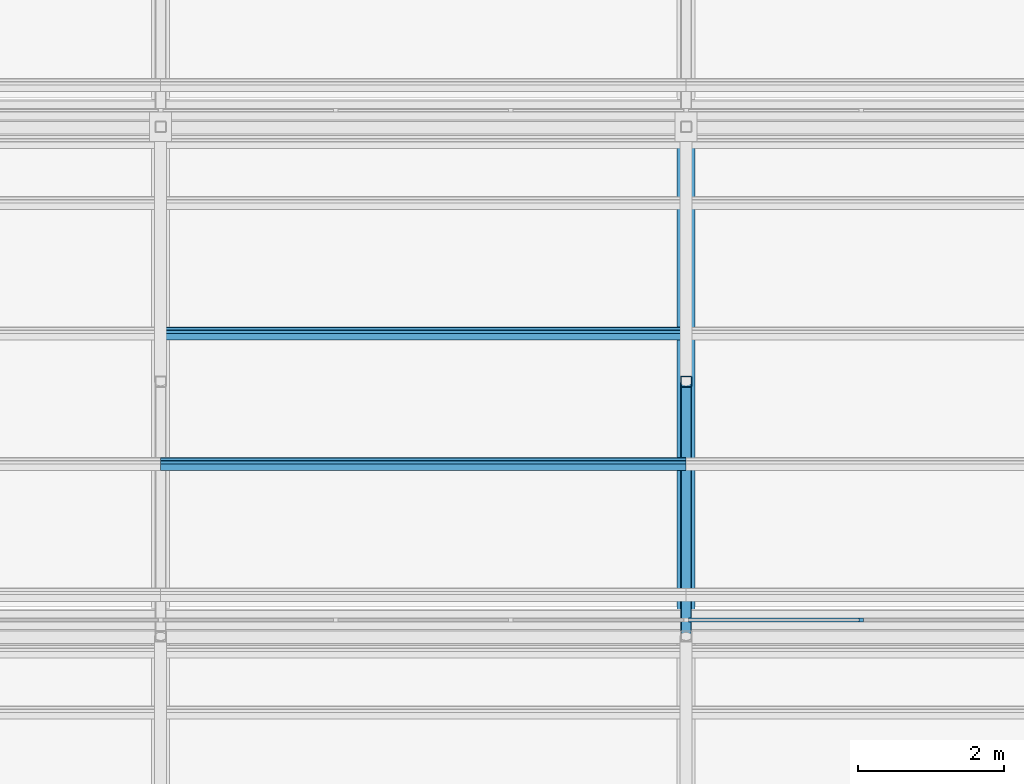
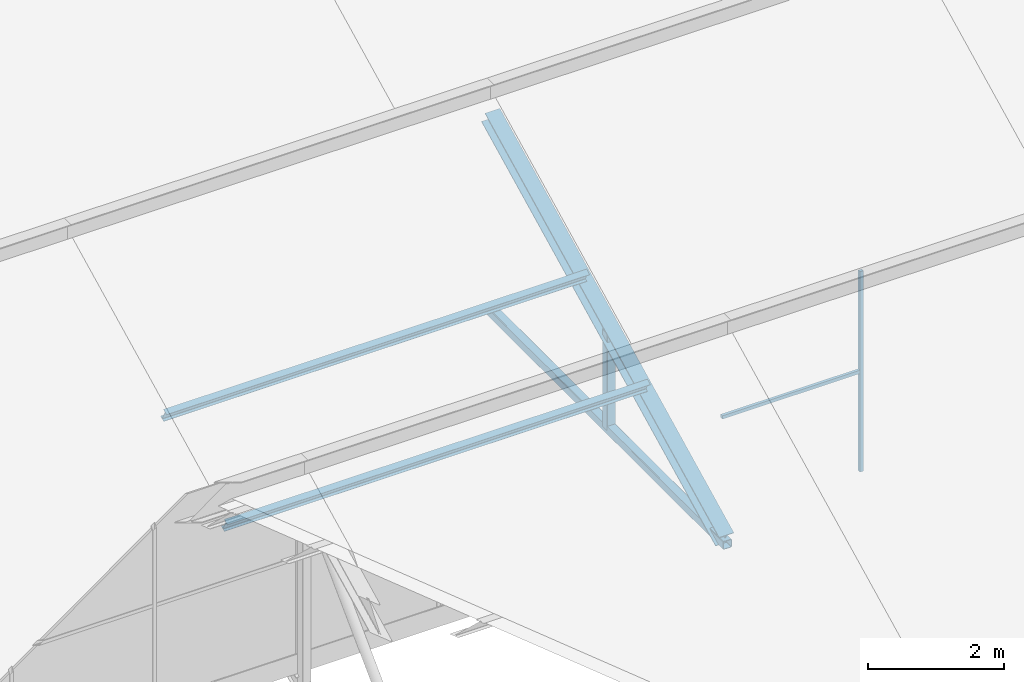
# One storey, part 31 of 83: 7 members, 1 element without a shape of its own.
"""IFC4 building model written with IfcOpenShell, lengths in metres."""

from ifc_helpers import new_model, si_unit, direction, frame, origin, origin_2d, place, context, subcontext, project, spatial, rectangle, hollow_rectangle, i_section, extrude, material, material_profile, profile_set, type_object, element, aggregate, save


model = new_model("IFC4")

# Units and contexts
model_context = context("Model", 3, precision=1e-05, world=origin(), true_north=direction((0.0, 1.0)))
body_context = subcontext(model_context, "Body", "Model", "MODEL_VIEW")
ifc_project = project(units=[si_unit("LENGTHUNIT", "METRE"), si_unit("AREAUNIT", "SQUARE_METRE"), si_unit("VOLUMEUNIT", "CUBIC_METRE"), si_unit("PLANEANGLEUNIT", "RADIAN"), si_unit("MASSUNIT", "GRAM", prefix="KILO")], contexts=[model_context])

# Site, building, storey
site_placement = place(None, origin())
site = spatial("IfcSite", under=ifc_project, at=site_placement, CompositionType="ELEMENT")
building_placement = place(site_placement, origin())
building = spatial("IfcBuilding", under=site, at=building_placement, Name="Silangan Lancet Faculty of Sciences", CompositionType="ELEMENT")
storey_placement = place(building_placement, frame((0.0, 0.0, 11.39990234375)))
storey = spatial("IfcBuildingStorey", under=building, at=storey_placement, Name="L02", CompositionType="ELEMENT", Elevation=11.39990234375)

# Curtain wall, members
ifc_material_1 = material(Name="Aluminium and laminated glass", Category="aluminium")
curtain_wall_type = type_object("IfcCurtainWallType", Name="North light glazing system", PredefinedType="NOTDEFINED", material=ifc_material_1)
curtain_wall_placement = place(storey_placement, origin())
curtain_wall = element("IfcCurtainWall", 1, at=curtain_wall_placement, inside=storey, type_object=curtain_wall_type, Name="North light glazing NAB-1-3", PredefinedType="NOTDEFINED")
ifc_material_2 = material(Name="Aluminium 6063-T6", Category="aluminium")
ifc_material_profile_1 = material_profile(ifc_material_2, rectangle(XDim=0.06005859375, YDim=0.050048828125, at=origin_2d()), Name="AL 60x50")
ifc_profile_set_1 = profile_set([ifc_material_profile_1], Name="Aluminium 6063-T6")
member_type_1 = type_object("IfcMemberType", Name="North light mullion 60x50", PredefinedType="MULLION", material=ifc_profile_set_1)
member_1_placement = place(storey_placement, frame((46.22509765625, 43.631591796875, 0.4423828125), z_axis=(0.0, 0.0, 1.0), x_axis=(1.0, 0.0, 0.0)))
member_1 = element("IfcMember", 2, at=member_1_placement, type_object=member_type_1, Name="North light mullion NAB-1-3 2", PredefinedType="MULLION", context=body_context, shape_type="SweptSolid", body=[
    extrude(rectangle(XDim=0.06005859375, YDim=0.050048828125, at=origin_2d()), origin(), (0.0, 0.0, 1.0), 3.60595703125),
])
ifc_material_3 = material(Name="Aluminium 6063-T6", Category="aluminium")
ifc_material_profile_2 = material_profile(ifc_material_3, rectangle(XDim=0.050048828125, YDim=0.06005859375, at=origin_2d()), Name="AL 50x60")
ifc_profile_set_2 = profile_set([ifc_material_profile_2], Name="Aluminium 6063-T6")
member_type_2 = type_object("IfcMemberType", Name="North light transom 50x60", PredefinedType="USERDEFINED", material=ifc_profile_set_2)
member_2_placement = place(storey_placement, frame((43.85498046875, 43.631591796875, 2.245361328125), z_axis=(1.0, 0.0, 0.0), x_axis=(0.0, 1.0, 0.0)))
member_2 = element("IfcMember", 3, at=member_2_placement, type_object=member_type_2, Name="North light transom NAB-1-3 1", ObjectType="TRANSOM", PredefinedType="USERDEFINED", context=body_context, shape_type="SweptSolid", body=[
    extrude(rectangle(XDim=0.050048828125, YDim=0.06005859375, at=origin_2d()), origin(), (0.0, 0.0, 1.0), 2.340087890625),
])
aggregate(curtain_wall, [member_1, member_2])

# Members
ifc_material_4 = material(Name="Steel SS400", Category="steel")
ifc_material_profile_3 = material_profile(ifc_material_4, i_section(OverallWidth=0.10009765625, OverallDepth=0.199951171875, WebThickness=0.005615234375, FlangeThickness=0.008056640625, FilletRadius=0.008056640625, at=origin_2d()), Name="H 200x100x5.5x8")
ifc_profile_set_3 = profile_set([ifc_material_profile_3], Name="Steel SS400")
member_type_3 = type_object("IfcMemberType", Name="Sheeting purlin H 200x100x5.5x8", PredefinedType="PURLIN", material=ifc_profile_set_3)
for number, where, z_axis, x_axis, name in (
    (4, (36.625, 45.765625, 1.526123046875), (1.0, 0.0, 0.0), (0.0, 0.894427192382, 0.447213592736), "Sheeting purlin NAB-2-2 2"),
    (5, (36.625, 47.5546875, 2.420654296875), (1.0, 0.0, 0.0), (0.0, 0.894427192382, 0.447213592736), "Sheeting purlin NAB-2-2 3"),
):
    element("IfcMember", number, at=place(storey_placement, frame(where, z_axis=z_axis, x_axis=x_axis)), inside=storey, type_object=member_type_3, Name=name, PredefinedType="PURLIN", context=body_context, shape_type="SweptSolid", body=[
        extrude(i_section(OverallWidth=0.10009765625, OverallDepth=0.199951171875, WebThickness=0.005615234375, FlangeThickness=0.008056640625, FilletRadius=0.008056640625, at=origin_2d()), origin(), (0.0, 0.0, 1.0), 7.199951171875),
    ])
ifc_material_5 = material(Name="Steel STKR400", Category="steel")
ifc_material_profile_4 = material_profile(ifc_material_5, hollow_rectangle(XDim=0.14990234375, YDim=0.14990234375, WallThickness=0.009033203125, InnerFilletRadius=0.009033203125, OuterFilletRadius=0.01806640625, at=origin_2d()), Name="SHS 150x150x9.0")
ifc_profile_set_4 = profile_set([ifc_material_profile_4], Name="Steel STKR400")
member_type_4 = type_object("IfcMemberType", Name="Truss bottom chord SHS 150x150x9.0", PredefinedType="CHORD", material=ifc_profile_set_4)
member_3_placement = place(storey_placement, frame((43.824951171875, 43.40673828125, 0.09521484375), z_axis=(0.0, 1.0, 0.0), x_axis=(-1.0, 0.0, 0.0)))
element("IfcMember", 6, at=member_3_placement, inside=storey, type_object=member_type_4, Name="Truss 3 bottom chord 2", PredefinedType="CHORD", context=body_context, shape_type="SweptSolid", body=[
    extrude(hollow_rectangle(XDim=0.14990234375, YDim=0.14990234375, WallThickness=0.009033203125, InnerFilletRadius=0.009033203125, OuterFilletRadius=0.01806640625, at=origin_2d()), origin(), (0.0, 0.0, 1.0), 6.9814453125),
])
ifc_material_6 = material(Name="Steel STKR400", Category="steel")
ifc_material_profile_5 = material_profile(ifc_material_6, hollow_rectangle(XDim=0.14990234375, YDim=0.14990234375, WallThickness=0.006103515625, InnerFilletRadius=0.006103515625, OuterFilletRadius=0.011962890625, at=origin_2d()), Name="SHS 150x150x6.0")
ifc_profile_set_5 = profile_set([ifc_material_profile_5], Name="Steel STKR400")
member_type_5 = type_object("IfcMemberType", Name="Truss post SHS 150x150x6.0", PredefinedType="POST", material=ifc_profile_set_5)
member_4_placement = place(storey_placement, frame((43.824951171875, 46.8974609375, 0.09521484375), z_axis=(0.0, 0.0, 1.0), x_axis=(1.0, 0.0, 0.0)))
element("IfcMember", 7, at=member_4_placement, inside=storey, type_object=member_type_5, Name="Truss 3 mid post 2", PredefinedType="POST", context=body_context, shape_type="SweptSolid", body=[
    extrude(hollow_rectangle(XDim=0.14990234375, YDim=0.14990234375, WallThickness=0.006103515625, InnerFilletRadius=0.006103515625, OuterFilletRadius=0.011962890625, at=origin_2d()), origin(), (0.0, 0.0, 1.0), 1.745361328125),
])
ifc_material_7 = material(Name="Steel SS400", Category="steel")
ifc_material_profile_6 = material_profile(ifc_material_7, i_section(OverallWidth=0.25, OverallDepth=0.25, WebThickness=0.009033203125, FlangeThickness=0.013916015625, FilletRadius=0.01611328125, at=origin_2d()), Name="H 250x250x9x14")
ifc_profile_set_6 = profile_set([ifc_material_profile_6], Name="Steel SS400")
member_type_6 = type_object("IfcMemberType", Name="Truss top chord H 250x250x9x14", PredefinedType="CHORD", material=ifc_profile_set_6)
member_5_placement = place(storey_placement, frame((43.824951171875, 43.4873046875, 0.13525390625), z_axis=(0.0, 0.894414533534, 0.447238909537), x_axis=(-1.0, 0.0, 0.0)))
element("IfcMember", 8, at=member_5_placement, inside=storey, type_object=member_type_6, Name="Truss 3 top chord 2", PredefinedType="CHORD", context=body_context, shape_type="SweptSolid", body=[
    extrude(i_section(OverallWidth=0.25, OverallDepth=0.25, WebThickness=0.009033203125, FlangeThickness=0.013916015625, FilletRadius=0.01611328125, at=origin_2d()), origin(), (0.0, 0.0, 1.0), 7.715576171875),
])

save(model, "model.ifc")
